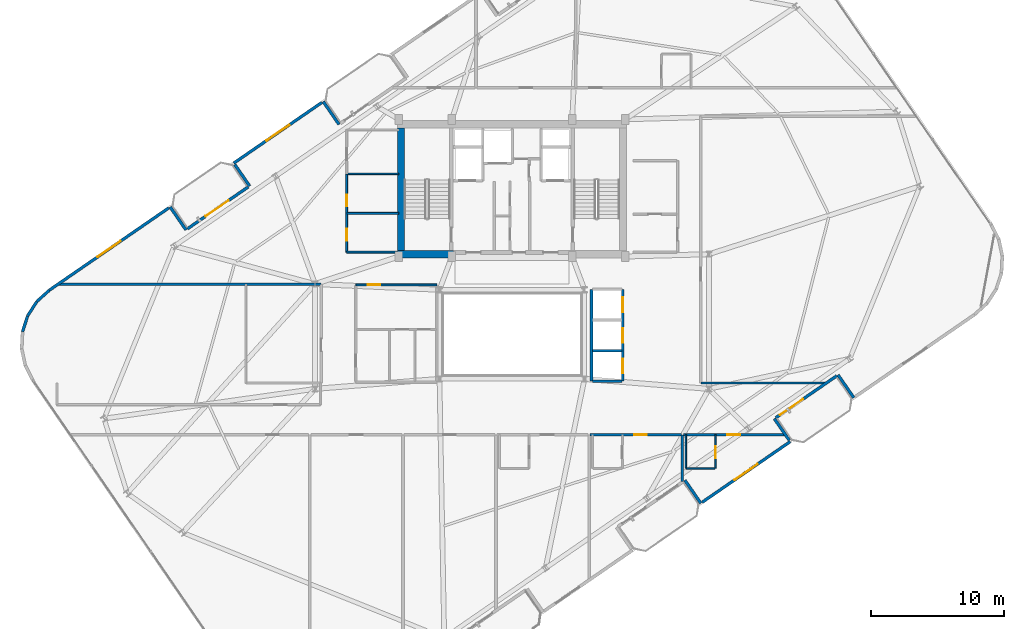
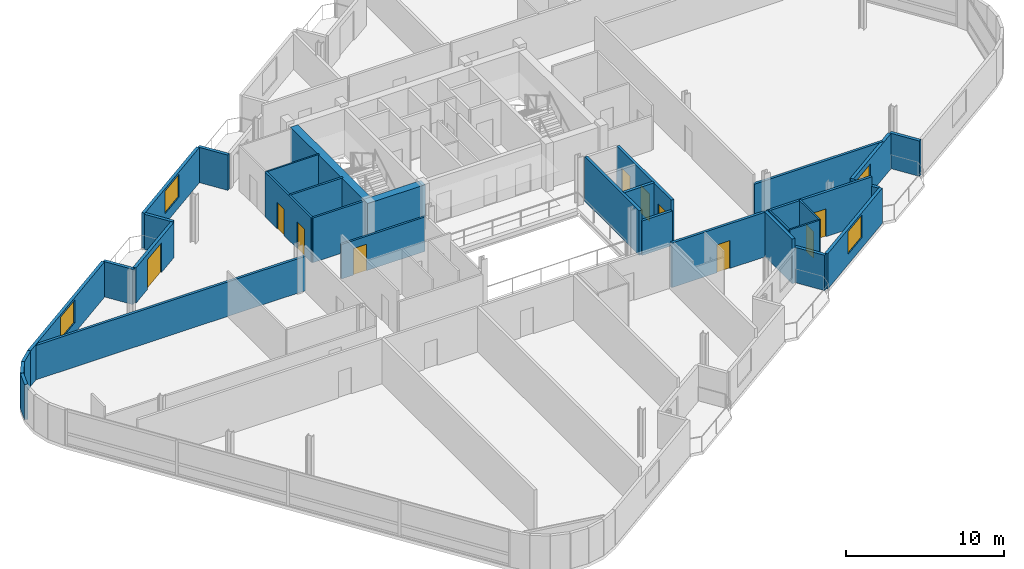
# One storey, part 17 of 23: 33 walls, 11 doors, 3 windows, 14 openings.
"""IFC4 building model written with IfcOpenShell, lengths in metres."""

from ifc_helpers import new_model, si_unit, direction, frame, frame_2d, origin, place, context, subcontext, project, spatial, rectangle, extrude, material, layer, layer_set, type_object, element, fill, save


model = new_model("IFC4")

# Units and contexts
model_context = context("Model", 3, precision=1e-05, world=origin(), true_north=direction((0.0, 1.0)))
body_context = subcontext(model_context, "Body", "Model", "MODEL_VIEW")
ifc_project = project(units=[si_unit("LENGTHUNIT", "METRE"), si_unit("AREAUNIT", "SQUARE_METRE"), si_unit("VOLUMEUNIT", "CUBIC_METRE"), si_unit("PLANEANGLEUNIT", "RADIAN"), si_unit("MASSUNIT", "GRAM", prefix="KILO")], contexts=[model_context])

# Site, building, storey
site_placement = place(None, origin())
site = spatial("IfcSite", under=ifc_project, at=site_placement, CompositionType="ELEMENT")
building_placement = place(site_placement, origin())
building = spatial("IfcBuilding", under=site, at=building_placement, Name="Varnelok Gate Tower", CompositionType="ELEMENT")
storey_placement = place(building_placement, frame((0.0, 0.0, 258.199951171875)))
storey = spatial("IfcBuildingStorey", under=building, at=storey_placement, Name="L66", CompositionType="ELEMENT", Elevation=258.199951171875)

# Wall, opening, door
ifc_material_1 = material(Name="Concrete C45/55", Category="concrete")
ifc_layer_1 = layer(ifc_material_1, 0.219970703125)
ifc_layer_set_1 = layer_set([ifc_layer_1], Name="Concrete C45/55")
wall_type_1 = type_object("IfcWallType", Name="EW-BALC-220", PredefinedType="SOLIDWALL", material=ifc_layer_set_1)
wall_1_placement = place(storey_placement, frame((63.60498046875, 19.780029296875, 0.0), z_axis=(0.0, 0.0, 1.0), x_axis=(-0.823541290762, -0.567256328665, 0.0)))
wall_1 = element("IfcWall", 1, at=wall_1_placement, inside=storey, type_object=wall_type_1, Name="L66 South Terrace Envelope Wall 3", PredefinedType="SOLIDWALL", context=body_context, shape_type="SweptSolid", body=[
    extrude(rectangle(XDim=5.567138671875, YDim=0.219970703125, at=frame_2d((2.78369140625, 0.0))), origin(), (0.0, 0.0, 1.0), 2.72998046875),
])
opening_1_placement = place(wall_1_placement, frame((3.067138671875, 0.0, 0.0)))
opening_1 = element("IfcOpeningElement", 2, at=opening_1_placement, cuts=wall_1, Name="Opening BD-2", PredefinedType="OPENING", context=body_context, shape_type="SweptSolid", body=[
    extrude(rectangle(XDim=2.10009765625, YDim=2.300048828125, at=frame_2d((1.050048828125, 1.14990234375))), frame((0.0, 0.119873046875, 0.0), z_axis=(0.0, -1.0, 0.0), x_axis=(1.0, 0.0, 0.0)), (0.0, 0.0, 1.0), 0.239990234375),
])
ifc_material_2 = material(Name="Anodized Aluminum Alloy 6063-T6", Category="aluminium")
door_type_1 = type_object("IfcDoorType", Name="DR-EXT-SLID2100", OperationType="SLIDING_TO_LEFT", PredefinedType="DOOR", material=ifc_material_2)
door_1_placement = place(opening_1_placement, origin())
door_1 = element("IfcDoor", 3, at=door_1_placement, inside=storey, type_object=door_type_1, Name="L66 South Balcony Glazed Door 3", OperationType="SLIDING_TO_LEFT", OverallHeight=2.300048828125, OverallWidth=2.10009765625, PredefinedType="DOOR", context=body_context, shape_type="SweptSolid", body=[
    extrude(rectangle(XDim=2.10009765625, YDim=2.300048828125, at=frame_2d((1.050048828125, 1.14990234375))), frame((0.0, 0.02490234375, 0.0), z_axis=(0.0, -1.0, 0.0), x_axis=(1.0, 0.0, 0.0)), (0.0, 0.0, 1.0), 0.050048828125),
])
fill(opening_1, door_1)

wall_2_placement = place(storey_placement, frame((14.794921875, 30.81982421875, 0.0), z_axis=(0.0, 0.0, 1.0), x_axis=(0.823541290762, 0.567256328665, 0.0)))
wall_2 = element("IfcWall", 4, at=wall_2_placement, inside=storey, type_object=wall_type_1, Name="L66 North Terrace Envelope Wall 4", PredefinedType="SOLIDWALL", context=body_context, shape_type="SweptSolid", body=[
    extrude(rectangle(XDim=5.567138671875, YDim=0.219970703125, at=frame_2d((2.78369140625, 0.0))), origin(), (0.0, 0.0, 1.0), 2.72998046875),
])
opening_2_placement = place(wall_2_placement, frame((1.68017578125, 0.0, 0.0)))
opening_2 = element("IfcOpeningElement", 5, at=opening_2_placement, cuts=wall_2, Name="Opening BD-2", PredefinedType="OPENING", context=body_context, shape_type="SweptSolid", body=[
    extrude(rectangle(XDim=2.10009765625, YDim=2.300048828125, at=frame_2d((1.050048828125, 1.14990234375))), frame((0.0, 0.119873046875, 0.0), z_axis=(0.0, -1.0, 0.0), x_axis=(1.0, 0.0, 0.0)), (0.0, 0.0, 1.0), 0.239990234375),
])
door_2_placement = place(opening_2_placement, origin())
door_2 = element("IfcDoor", 6, at=door_2_placement, inside=storey, type_object=door_type_1, Name="L66 North Balcony Glazed Door 4", OperationType="SLIDING_TO_LEFT", OverallHeight=2.300048828125, OverallWidth=2.10009765625, PredefinedType="DOOR", context=body_context, shape_type="SweptSolid", body=[
    extrude(rectangle(XDim=2.10009765625, YDim=2.300048828125, at=frame_2d((1.050048828125, 1.14990234375))), frame((0.0, 0.02490234375, 0.0), z_axis=(0.0, -1.0, 0.0), x_axis=(1.0, 0.0, 0.0)), (0.0, 0.0, 1.0), 0.050048828125),
])
fill(opening_2, door_2)

# Wall
wall_3_placement = place(storey_placement, frame((52.19580078125, 11.933349609375, 0.0), z_axis=(0.0, 0.0, 1.0), x_axis=(0.56729822855, -0.823512428494, 0.0)))
element("IfcWall", 7, at=wall_3_placement, inside=storey, type_object=wall_type_1, Name="L66 Perimeter Facade Closure Wall 12", PredefinedType="SOLIDWALL", context=body_context, shape_type="SweptSolid", body=[
    extrude(rectangle(XDim=2.10009765625, YDim=0.219970703125, at=frame_2d((1.050048828125, 0.0))), origin(), (0.0, 0.0, 1.0), 2.72998046875),
])

# Wall, opening, window
wall_4_placement = place(storey_placement, frame((53.489990234375, 10.27490234375, 0.0), z_axis=(0.0, 0.0, 1.0), x_axis=(0.823530942962, 0.56727135128, 0.0)))
wall_4 = element("IfcWall", 8, at=wall_4_placement, inside=storey, type_object=wall_type_1, Name="L66 Perimeter Facade Closure Wall 13", PredefinedType="SOLIDWALL", context=body_context, shape_type="SweptSolid", body=[
    extrude(rectangle(XDim=8.03515625, YDim=0.219970703125, at=frame_2d((4.017578125, 0.0))), origin(), (0.0, 0.0, 1.0), 2.72998046875),
])
opening_3_placement = place(wall_4_placement, frame((2.967529296875, 0.0, 0.800048828125)))
opening_3 = element("IfcOpeningElement", 9, at=opening_3_placement, cuts=wall_4, Name="Opening WN4", PredefinedType="OPENING", context=body_context, shape_type="SweptSolid", body=[
    extrude(rectangle(XDim=2.10009765625, YDim=1.75, at=frame_2d((1.050048828125, 0.875))), frame((0.0, 0.119873046875, 0.0), z_axis=(0.0, -1.0, 0.0), x_axis=(1.0, 0.0, 0.0)), (0.0, 0.0, 1.0), 0.239990234375),
])
ifc_material_3 = material(Name="Low-E Laminated Double Glazing IGU", Category="glass")
window_type = type_object("IfcWindowType", Name="WN-SUI-2100", PartitioningType="SINGLE_PANEL", PredefinedType="WINDOW", material=ifc_material_3)
window_1_placement = place(opening_3_placement, origin())
window_1 = element("IfcWindow", 10, at=window_1_placement, inside=storey, type_object=window_type, Name="L66 Perimeter Vision Window 13", OverallHeight=1.75, OverallWidth=2.10009765625, PartitioningType="SINGLE_PANEL", PredefinedType="WINDOW", context=body_context, shape_type="SweptSolid", body=[
    extrude(rectangle(XDim=2.10009765625, YDim=1.75, at=frame_2d((1.050048828125, 0.875))), frame((0.0, 0.030029296875, 0.0), z_axis=(0.0, -1.0, 0.0), x_axis=(1.0, 0.0, 0.0)), (0.0, 0.0, 1.0), 0.06005859375),
])
fill(opening_3, window_1)

# Walls
wall_5_placement = place(storey_placement, frame((60.0361328125, 14.935791015625, 0.0), z_axis=(0.0, 0.0, 1.0), x_axis=(-0.567273565974, 0.823529417415, 0.0)))
element("IfcWall", 11, at=wall_5_placement, inside=storey, type_object=wall_type_1, Name="L66 Perimeter Facade Closure Wall 14", PredefinedType="SOLIDWALL", context=body_context, shape_type="SweptSolid", body=[
    extrude(rectangle(XDim=1.97509765625, YDim=0.219970703125, at=frame_2d((0.987548828125, 0.0))), origin(), (0.0, 0.0, 1.0), 2.72998046875),
])
for number, where, z_axis, x_axis, name in (
    (12, (63.6982421875, 19.8564453125, 0.0), (0.0, 0.0, 1.0), (0.567219383419, -0.823566737474, 0.0), "L66 Perimeter Facade Closure Wall 15"),
    (13, (26.2041015625, 38.66650390625, 0.0), (0.0, 0.0, 1.0), (-0.567219383419, 0.823566737474, 0.0), "L66 Perimeter Facade Closure Wall 34"),
):
    element("IfcWall", number, at=place(storey_placement, frame(where, z_axis=z_axis, x_axis=x_axis)), inside=storey, type_object=wall_type_1, Name=name, PredefinedType="SOLIDWALL", context=body_context, shape_type="SweptSolid", body=[
        extrude(rectangle(XDim=2.10009765625, YDim=0.219970703125, at=frame_2d((1.050048828125, 0.0))), origin(), (0.0, 0.0, 1.0), 2.72998046875),
    ])

# Wall, opening, window
wall_6_placement = place(storey_placement, frame((24.909912109375, 40.3251953125, 0.0), z_axis=(0.0, 0.0, 1.0), x_axis=(-0.823521165086, -0.56728554596, 0.0)))
wall_6 = element("IfcWall", 14, at=wall_6_placement, inside=storey, type_object=wall_type_1, Name="L66 Perimeter Facade Closure Wall 35", PredefinedType="SOLIDWALL", context=body_context, shape_type="SweptSolid", body=[
    extrude(rectangle(XDim=8.034912109375, YDim=0.219970703125, at=frame_2d((4.017578125, 0.0))), origin(), (0.0, 0.0, 1.0), 2.72998046875),
])
opening_4_placement = place(wall_6_placement, frame((2.967529296875, 0.0, 0.800048828125)))
opening_4 = element("IfcOpeningElement", 15, at=opening_4_placement, cuts=wall_6, Name="Opening WN4", PredefinedType="OPENING", context=body_context, shape_type="SweptSolid", body=[
    extrude(rectangle(XDim=2.10009765625, YDim=1.75, at=frame_2d((1.050048828125, 0.875))), frame((0.0, 0.119873046875, 0.0), z_axis=(0.0, -1.0, 0.0), x_axis=(1.0, 0.0, 0.0)), (0.0, 0.0, 1.0), 0.239990234375),
])
window_2_placement = place(opening_4_placement, origin())
window_2 = element("IfcWindow", 16, at=window_2_placement, inside=storey, type_object=window_type, Name="L66 Perimeter Vision Window 35", OverallHeight=1.75, OverallWidth=2.10009765625, PartitioningType="SINGLE_PANEL", PredefinedType="WINDOW", context=body_context, shape_type="SweptSolid", body=[
    extrude(rectangle(XDim=2.10009765625, YDim=1.75, at=frame_2d((1.050048828125, 0.875))), frame((0.0, 0.030029296875, 0.0), z_axis=(0.0, -1.0, 0.0), x_axis=(1.0, 0.0, 0.0)), (0.0, 0.0, 1.0), 0.06005859375),
])
fill(opening_4, window_2)

# Walls
wall_7_placement = place(storey_placement, frame((18.36376953125, 35.664306640625, 0.0), z_axis=(0.0, 0.0, 1.0), x_axis=(0.567215821234, -0.823569190865, 0.0)))
element("IfcWall", 17, at=wall_7_placement, inside=storey, type_object=wall_type_1, Name="L66 Perimeter Facade Closure Wall 36", PredefinedType="SOLIDWALL", context=body_context, shape_type="SweptSolid", body=[
    extrude(rectangle(XDim=1.97509765625, YDim=0.219970703125, at=frame_2d((0.987548828125, 0.0))), origin(), (0.0, 0.0, 1.0), 2.72998046875),
])
wall_8_placement = place(storey_placement, frame((14.701904296875, 30.74365234375, 0.0), z_axis=(0.0, 0.0, 1.0), x_axis=(-0.567352541689, 0.823475010816, 0.0)))
element("IfcWall", 18, at=wall_8_placement, inside=storey, type_object=wall_type_1, Name="L66 Perimeter Facade Closure Wall 37", PredefinedType="SOLIDWALL", context=body_context, shape_type="SweptSolid", body=[
    extrude(rectangle(XDim=2.099853515625, YDim=0.219970703125, at=frame_2d((1.0498046875, 0.0))), origin(), (0.0, 0.0, 1.0), 2.72998046875),
])

# Wall, opening, window
wall_9_placement = place(storey_placement, frame((13.40771484375, 32.402099609375, 0.0), z_axis=(0.0, 0.0, 1.0), x_axis=(-0.823527634633, -0.567276154087, 0.0)))
wall_9 = element("IfcWall", 19, at=wall_9_placement, inside=storey, type_object=wall_type_1, Name="L66 Perimeter Facade Closure Wall 38", PredefinedType="SOLIDWALL", context=body_context, shape_type="SweptSolid", body=[
    extrude(rectangle(XDim=10.88037109375, YDim=0.219970703125, at=frame_2d((5.440185546875, 0.0))), origin(), (0.0, 0.0, 1.0), 2.72998046875),
])
opening_5_placement = place(wall_9_placement, frame((4.39013671875, 0.0, 0.800048828125)))
opening_5 = element("IfcOpeningElement", 20, at=opening_5_placement, cuts=wall_9, Name="Opening WN4", PredefinedType="OPENING", context=body_context, shape_type="SweptSolid", body=[
    extrude(rectangle(XDim=2.10009765625, YDim=1.75, at=frame_2d((1.050048828125, 0.875))), frame((0.0, 0.119873046875, 0.0), z_axis=(0.0, -1.0, 0.0), x_axis=(1.0, 0.0, 0.0)), (0.0, 0.0, 1.0), 0.239990234375),
])
window_3_placement = place(opening_5_placement, origin())
window_3 = element("IfcWindow", 21, at=window_3_placement, inside=storey, type_object=window_type, Name="L66 Perimeter Vision Window 38", OverallHeight=1.75, OverallWidth=2.10009765625, PartitioningType="SINGLE_PANEL", PredefinedType="WINDOW", context=body_context, shape_type="SweptSolid", body=[
    extrude(rectangle(XDim=2.10009765625, YDim=1.75, at=frame_2d((1.050048828125, 0.875))), frame((0.0, 0.030029296875, 0.0), z_axis=(0.0, -1.0, 0.0), x_axis=(1.0, 0.0, 0.0)), (0.0, 0.0, 1.0), 0.06005859375),
])
fill(opening_5, window_3)

# Walls
wall_10_placement = place(storey_placement, frame((4.428955078125, 26.21337890625, 0.0), z_axis=(0.0, 0.0, 1.0), x_axis=(-0.742414330744, -0.669941013453, 0.0)))
element("IfcWall", 22, at=wall_10_placement, inside=storey, type_object=wall_type_1, Name="L66 Perimeter Facade Closure Wall 39", PredefinedType="SOLIDWALL", context=body_context, shape_type="SweptSolid", body=[
    extrude(rectangle(XDim=1.256591796875, YDim=0.219970703125, at=frame_2d((0.62841796875, 0.0))), origin(), (0.0, 0.0, 1.0), 2.72998046875),
])
for number, where, z_axis, x_axis, name in (
    (23, (3.482421875, 25.3505859375, 0.0), (0.0, 0.0, 1.0), (-0.543778157277, -0.839229000731, 0.0), "L66 Perimeter Facade Closure Wall 40"),
    (24, (2.7958984375, 24.27880859375, 0.0), (0.0, 0.0, 1.0), (-0.30817950344, -0.951328226039, 0.0), "L66 Perimeter Facade Closure Wall 41"),
):
    element("IfcWall", number, at=place(storey_placement, frame(where, z_axis=z_axis, x_axis=x_axis)), inside=storey, type_object=wall_type_1, Name=name, PredefinedType="SOLIDWALL", context=body_context, shape_type="SweptSolid", body=[
        extrude(rectangle(XDim=1.24853515625, YDim=0.219970703125, at=frame_2d((0.624267578125, 0.0))), origin(), (0.0, 0.0, 1.0), 2.72998046875),
    ])

# Wall, opening, door
ifc_material_4 = material(Name="Gypsum Plasterboard Acoustic Partition", Category="gypsum")
ifc_layer_2 = layer(ifc_material_4, 0.179931640625)
ifc_layer_set_2 = layer_set([ifc_layer_2], Name="Gypsum Plasterboard Acoustic Partition")
wall_type_2 = type_object("IfcWallType", Name="PW-CORR-180", PredefinedType="PARTITIONING", material=ifc_layer_set_2)
wall_11_placement = place(storey_placement, frame((45.080078125, 15.35009765625, 0.0), z_axis=(0.0, 0.0, 1.0), x_axis=(1.0, 0.0, 0.0)))
wall_11 = element("IfcWall", 25, at=wall_11_placement, inside=storey, type_object=wall_type_2, Name="Interior Partition", PredefinedType="PARTITIONING", context=body_context, shape_type="SweptSolid", body=[
    extrude(rectangle(XDim=6.83984375, YDim=0.179931640625, at=frame_2d((3.419921875, 0.0))), origin(), (0.0, 0.0, 1.0), 3.449951171875),
])
opening_6_placement = place(wall_11_placement, frame((3.2900390625, 0.0, 0.0)))
opening_6 = element("IfcOpeningElement", 26, at=opening_6_placement, cuts=wall_11, Name="Opening D-HT", PredefinedType="OPENING", context=body_context, shape_type="SweptSolid", body=[
    extrude(rectangle(XDim=0.949951171875, YDim=2.14990234375, at=frame_2d((0.47509765625, 1.074951171875))), frame((0.0, 0.099853515625, 0.0), z_axis=(0.0, -1.0, 0.0), x_axis=(1.0, 0.0, 0.0)), (0.0, 0.0, 1.0), 0.199951171875),
])
ifc_material_5 = material(Name="Engineered Hardwood Timber", Category="wood")
door_type_2 = type_object("IfcDoorType", Name="DR-HTL-950", OperationType="NOTDEFINED", PredefinedType="DOOR", material=ifc_material_5)
door_3_placement = place(opening_6_placement, origin())
door_3 = element("IfcDoor", 27, at=door_3_placement, inside=storey, type_object=door_type_2, Name="L66 Guest Room 05 Entrance Door", OperationType="SINGLE_SWING_RIGHT", OverallHeight=2.14990234375, OverallWidth=0.949951171875, PredefinedType="DOOR", context=body_context, shape_type="SweptSolid", body=[
    extrude(rectangle(XDim=0.949951171875, YDim=2.14990234375, at=frame_2d((0.47509765625, 1.074951171875))), frame((0.0, 0.02490234375, 0.0), z_axis=(0.0, -1.0, 0.0), x_axis=(1.0, 0.0, 0.0)), (0.0, 0.0, 1.0), 0.050048828125),
])
fill(opening_6, door_3)

wall_12_placement = place(storey_placement, frame((52.080078125, 15.35009765625, 0.0), z_axis=(0.0, 0.0, 1.0), x_axis=(1.0, 0.0, 0.0)))
wall_12 = element("IfcWall", 28, at=wall_12_placement, inside=storey, type_object=wall_type_2, Name="Interior Partition", PredefinedType="PARTITIONING", context=body_context, shape_type="SweptSolid", body=[
    extrude(rectangle(XDim=7.646484375, YDim=0.179931640625, at=frame_2d((3.8232421875, 0.0))), origin(), (0.0, 0.0, 1.0), 3.449951171875),
])
opening_7_placement = place(wall_12_placement, frame((3.31103515625, 0.0, 0.0)))
opening_7 = element("IfcOpeningElement", 29, at=opening_7_placement, cuts=wall_12, Name="Opening D-HT", PredefinedType="OPENING", context=body_context, shape_type="SweptSolid", body=[
    extrude(rectangle(XDim=0.949951171875, YDim=2.14990234375, at=frame_2d((0.47509765625, 1.074951171875))), frame((0.0, 0.099853515625, 0.0), z_axis=(0.0, -1.0, 0.0), x_axis=(1.0, 0.0, 0.0)), (0.0, 0.0, 1.0), 0.199951171875),
])
door_4_placement = place(opening_7_placement, origin())
door_4 = element("IfcDoor", 30, at=door_4_placement, inside=storey, type_object=door_type_2, Name="L66 Guest Room 06 Entrance Door", OperationType="SINGLE_SWING_LEFT", OverallHeight=2.14990234375, OverallWidth=0.949951171875, PredefinedType="DOOR", context=body_context, shape_type="SweptSolid", body=[
    extrude(rectangle(XDim=0.949951171875, YDim=2.14990234375, at=frame_2d((0.47509765625, 1.074951171875))), frame((0.0, 0.02490234375, 0.0), z_axis=(0.0, -1.0, 0.0), x_axis=(1.0, 0.0, 0.0)), (0.0, 0.0, 1.0), 0.050048828125),
])
fill(opening_7, door_4)

# Walls
wall_13_placement = place(storey_placement, frame((5.10693359375, 26.659912109375, 0.0), z_axis=(0.0, 0.0, 1.0), x_axis=(1.0, 0.0, 0.0)))
element("IfcWall", 31, at=wall_13_placement, inside=storey, type_object=wall_type_2, Name="Interior Partition", PredefinedType="PARTITIONING", context=body_context, shape_type="SweptSolid", body=[
    extrude(rectangle(XDim=19.7431640625, YDim=0.179931640625, at=frame_2d((9.87158203125, 0.0))), origin(), (0.0, 0.0, 1.0), 2.662109375),
])
wall_14_placement = place(storey_placement, frame((53.389892578125, 19.239990234375, 0.0), z_axis=(0.0, 0.0, 1.0), x_axis=(1.0, 0.0, 0.0)))
element("IfcWall", 32, at=wall_14_placement, inside=storey, type_object=wall_type_2, Name="Interior Partition", PredefinedType="PARTITIONING", context=body_context, shape_type="SweptSolid", body=[
    extrude(rectangle(XDim=9.378173828125, YDim=0.179931640625, at=frame_2d((4.68896484375, 0.0))), origin(), (0.0, 0.0, 1.0), 2.739013671875),
])
ifc_layer_3 = layer(ifc_material_4, 0.114990234375)
ifc_layer_set_3 = layer_set([ifc_layer_3], Name="Gypsum Plasterboard Acoustic Partition")
wall_type_3 = type_object("IfcWallType", Name="PW-ENS-125", PredefinedType="PARTITIONING", material=ifc_layer_set_3)
wall_15_placement = place(storey_placement, frame((52.300048828125, 12.830078125, 0.0), z_axis=(0.0, 0.0, 1.0), x_axis=(1.0, 0.0, 0.0)))
element("IfcWall", 33, at=wall_15_placement, inside=storey, type_object=wall_type_3, Name="Interior Partition", PredefinedType="PARTITIONING", context=body_context, shape_type="SweptSolid", body=[
    extrude(rectangle(XDim=2.14990234375, YDim=0.114990234375, at=frame_2d((1.074951171875, 0.0))), origin(), (0.0, 0.0, 1.0), 3.449951171875),
])

# Wall, opening, door
wall_16_placement = place(storey_placement, frame((54.489990234375, 12.830078125, 0.0), z_axis=(0.0, 0.0, 1.0), x_axis=(0.0, 1.0, 0.0)))
wall_16 = element("IfcWall", 34, at=wall_16_placement, inside=storey, type_object=wall_type_3, Name="Interior Partition", PredefinedType="PARTITIONING", context=body_context, shape_type="SweptSolid", body=[
    extrude(rectangle(XDim=2.52001953125, YDim=0.114990234375, at=frame_2d((1.260009765625, 0.0))), origin(), (0.0, 0.0, 1.0), 3.449951171875),
])
opening_8_placement = place(wall_16_placement, frame((0.760009765625, 0.0, 0.0)))
opening_8 = element("IfcOpeningElement", 35, at=opening_8_placement, cuts=wall_16, Name="Opening D-WC", PredefinedType="OPENING", context=body_context, shape_type="SweptSolid", body=[
    extrude(rectangle(XDim=0.89990234375, YDim=2.050048828125, at=frame_2d((0.449951171875, 1.02490234375))), frame((0.0, 0.0673828125, 0.0), z_axis=(0.0, -1.0, 0.0), x_axis=(1.0, 0.0, 0.0)), (0.0, 0.0, 1.0), 0.135009765625),
])
door_type_3 = type_object("IfcDoorType", Name="DR-BATH-900", OperationType="NOTDEFINED", PredefinedType="DOOR", material=ifc_material_5)
door_5_placement = place(opening_8_placement, origin())
door_5 = element("IfcDoor", 36, at=door_5_placement, inside=storey, type_object=door_type_3, Name="L66 Guest En-Suite 06 Door", OperationType="SINGLE_SWING_LEFT", OverallHeight=2.050048828125, OverallWidth=0.89990234375, PredefinedType="DOOR", context=body_context, shape_type="SweptSolid", body=[
    extrude(rectangle(XDim=0.89990234375, YDim=2.050048828125, at=frame_2d((0.449951171875, 1.02490234375))), frame((0.0, 0.02490234375, 0.0), z_axis=(0.0, -1.0, 0.0), x_axis=(1.0, 0.0, 0.0)), (0.0, 0.0, 1.0), 0.050048828125),
])
fill(opening_8, door_5)

# Walls
wall_17_placement = place(storey_placement, frame((52.260009765625, 12.830078125, 0.0), z_axis=(0.0, 0.0, 1.0), x_axis=(0.0, 1.0, 0.0)))
element("IfcWall", 37, at=wall_17_placement, inside=storey, type_object=wall_type_3, Name="Interior Partition", PredefinedType="PARTITIONING", context=body_context, shape_type="SweptSolid", body=[
    extrude(rectangle(XDim=2.52001953125, YDim=0.114990234375, at=frame_2d((1.260009765625, 0.0))), origin(), (0.0, 0.0, 1.0), 3.449951171875),
])
wall_18_placement = place(storey_placement, frame((26.800048828125, 34.949951171875, 0.0), z_axis=(0.0, 0.0, 1.0), x_axis=(1.0, 0.0, 0.0)))
element("IfcWall", 38, at=wall_18_placement, inside=storey, type_object=wall_type_3, Name="Interior Partition", PredefinedType="PARTITIONING", context=body_context, shape_type="SweptSolid", body=[
    extrude(rectangle(XDim=3.8798828125, YDim=0.114990234375, at=frame_2d((1.93994140625, 0.0))), origin(), (0.0, 0.0, 1.0), 3.449951171875),
])

# Wall, opening, door
ifc_layer_4 = layer(ifc_material_4, 0.14990234375)
ifc_layer_set_4 = layer_set([ifc_layer_4], Name="Gypsum Plasterboard Acoustic Partition")
wall_type_4 = type_object("IfcWallType", Name="PW-PART-150", PredefinedType="PARTITIONING", material=ifc_layer_set_4)
wall_19_placement = place(storey_placement, frame((27.4599609375, 26.6201171875, 0.0), z_axis=(0.0, 0.0, 1.0), x_axis=(1.0, 0.0, 0.0)))
wall_19 = element("IfcWall", 39, at=wall_19_placement, inside=storey, type_object=wall_type_4, Name="Interior Partition", PredefinedType="PARTITIONING", context=body_context, shape_type="SweptSolid", body=[
    extrude(rectangle(XDim=6.10009765625, YDim=0.14990234375, at=frame_2d((3.050048828125, 0.0))), origin(), (0.0, 0.0, 1.0), 2.662109375),
])
opening_9_placement = place(wall_19_placement, frame((0.8896484375, 0.0, 0.0)))
opening_9 = element("IfcOpeningElement", 40, at=opening_9_placement, cuts=wall_19, Name="Opening D-I2", PredefinedType="OPENING", context=body_context, shape_type="SweptSolid", body=[
    extrude(rectangle(XDim=0.949951171875, YDim=2.050048828125, at=frame_2d((0.47509765625, 1.02490234375))), frame((0.0, 0.0849609375, 0.0), z_axis=(0.0, -1.0, 0.0), x_axis=(1.0, 0.0, 0.0)), (0.0, 0.0, 1.0), 0.169921875),
])
door_type_4 = type_object("IfcDoorType", Name="DR-INT-950", OperationType="NOTDEFINED", PredefinedType="DOOR", material=ifc_material_5)
door_6_placement = place(opening_9_placement, origin())
door_6 = element("IfcDoor", 41, at=door_6_placement, inside=storey, type_object=door_type_4, Name="L66 Sommelier Tasting Cellar Door", OperationType="SINGLE_SWING_LEFT", OverallHeight=2.050048828125, OverallWidth=0.949951171875, PredefinedType="DOOR", context=body_context, shape_type="SweptSolid", body=[
    extrude(rectangle(XDim=0.949951171875, YDim=2.050048828125, at=frame_2d((0.47509765625, 1.02490234375))), frame((0.0, 0.02490234375, 0.0), z_axis=(0.0, -1.0, 0.0), x_axis=(1.0, 0.0, 0.0)), (0.0, 0.0, 1.0), 0.050048828125),
])
fill(opening_9, door_6)

# Walls
wall_20_placement = place(storey_placement, frame((26.780029296875, 29.080078125, 0.0), z_axis=(0.0, 0.0, 1.0), x_axis=(1.0, 0.0, 0.0)))
element("IfcWall", 42, at=wall_20_placement, inside=storey, type_object=wall_type_4, Name="Interior Partition", PredefinedType="PARTITIONING", context=body_context, shape_type="SweptSolid", body=[
    extrude(rectangle(XDim=3.800048828125, YDim=0.14990234375, at=frame_2d((1.89990234375, 0.0))), origin(), (0.0, 0.0, 1.0), 3.449951171875),
])
wall_21_placement = place(storey_placement, frame((26.800048828125, 31.989990234375, 0.0), z_axis=(0.0, 0.0, 1.0), x_axis=(1.0, 0.0, 0.0)))
element("IfcWall", 43, at=wall_21_placement, inside=storey, type_object=wall_type_4, Name="Interior Partition", PredefinedType="PARTITIONING", context=body_context, shape_type="SweptSolid", body=[
    extrude(rectangle(XDim=3.8798828125, YDim=0.14990234375, at=frame_2d((1.93994140625, 0.0))), origin(), (0.0, 0.0, 1.0), 3.449951171875),
])

# Wall, openings, doors
wall_22_placement = place(storey_placement, frame((26.780029296875, 29.080078125, 0.0), z_axis=(0.0, 0.0, 1.0), x_axis=(0.0, 1.0, 0.0)))
wall_22 = element("IfcWall", 44, at=wall_22_placement, inside=storey, type_object=wall_type_4, Name="Interior Partition", PredefinedType="PARTITIONING", context=body_context, shape_type="SweptSolid", body=[
    extrude(rectangle(XDim=5.869873046875, YDim=0.14990234375, at=frame_2d((2.93505859375, 0.0))), origin(), (0.0, 0.0, 1.0), 3.449951171875),
])
opening_10_placement = place(wall_22_placement, frame((0.85009765625, 0.0, 0.0)))
opening_10 = element("IfcOpeningElement", 45, at=opening_10_placement, cuts=wall_22, Name="Opening D-I3", PredefinedType="OPENING", context=body_context, shape_type="SweptSolid", body=[
    extrude(rectangle(XDim=0.919921875, YDim=2.050048828125, at=frame_2d((0.4599609375, 1.02490234375))), frame((0.0, 0.0849609375, 0.0), z_axis=(0.0, -1.0, 0.0), x_axis=(1.0, 0.0, 0.0)), (0.0, 0.0, 1.0), 0.169921875),
])
opening_11_placement = place(wall_22_placement, frame((3.449951171875, 0.0, 0.0)))
opening_11 = element("IfcOpeningElement", 46, at=opening_11_placement, cuts=wall_22, Name="Opening D-RS", PredefinedType="OPENING", context=body_context, shape_type="SweptSolid", body=[
    extrude(rectangle(XDim=0.85009765625, YDim=2.050048828125, at=frame_2d((0.425048828125, 1.02490234375))), frame((0.0, 0.0849609375, 0.0), z_axis=(0.0, -1.0, 0.0), x_axis=(1.0, 0.0, 0.0)), (0.0, 0.0, 1.0), 0.169921875),
])
door_type_5 = type_object("IfcDoorType", Name="DR-INT-920", OperationType="NOTDEFINED", PredefinedType="DOOR", material=ifc_material_5)
door_7_placement = place(opening_10_placement, origin())
door_7 = element("IfcDoor", 47, at=door_7_placement, inside=storey, type_object=door_type_5, Name="L66 Core Linen Door", OperationType="SINGLE_SWING_LEFT", OverallHeight=2.050048828125, OverallWidth=0.919921875, PredefinedType="DOOR", context=body_context, shape_type="SweptSolid", body=[
    extrude(rectangle(XDim=0.919921875, YDim=2.050048828125, at=frame_2d((0.4599609375, 1.02490234375))), frame((0.0, 0.02490234375, 0.0), z_axis=(0.0, -1.0, 0.0), x_axis=(1.0, 0.0, 0.0)), (0.0, 0.0, 1.0), 0.050048828125),
])
fill(opening_10, door_7)
ifc_material_6 = material(Name="Galvanized Steel Grade S350GD", Category="steel")
door_type_6 = type_object("IfcDoorType", Name="DR-RISER-850", OperationType="NOTDEFINED", PredefinedType="DOOR", material=ifc_material_6)
door_8_placement = place(opening_11_placement, origin())
door_8 = element("IfcDoor", 48, at=door_8_placement, inside=storey, type_object=door_type_6, Name="L66 Core Janitor Door", OperationType="SINGLE_SWING_RIGHT", OverallHeight=2.050048828125, OverallWidth=0.85009765625, PredefinedType="DOOR", context=body_context, shape_type="SweptSolid", body=[
    extrude(rectangle(XDim=0.85009765625, YDim=2.050048828125, at=frame_2d((0.425048828125, 1.02490234375))), frame((0.0, 0.02490234375, 0.0), z_axis=(0.0, -1.0, 0.0), x_axis=(1.0, 0.0, 0.0)), (0.0, 0.0, 1.0), 0.050048828125),
])
fill(opening_11, door_8)

# Walls
ifc_layer_5 = layer(ifc_material_4, 0.205078125)
ifc_layer_set_5 = layer_set([ifc_layer_5], Name="Gypsum Plasterboard Acoustic Partition")
wall_type_5 = type_object("IfcWallType", Name="PW-PARTY-200", PredefinedType="PARTITIONING", material=ifc_layer_set_5)
wall_23_placement = place(storey_placement, frame((52.0, 11.82275390625, 0.0), z_axis=(0.0, 0.0, 1.0), x_axis=(0.0, 1.0, 0.0)))
element("IfcWall", 49, at=wall_23_placement, inside=storey, type_object=wall_type_5, Name="L66 South Party Wall 5", PredefinedType="PARTITIONING", context=body_context, shape_type="SweptSolid", body=[
    extrude(rectangle(XDim=3.52734375, YDim=0.205078125, at=frame_2d((1.763671875, 0.0))), origin(), (0.0, 0.0, 1.0), 3.449951171875),
])
ifc_material_7 = material(Name="Concrete C35/45", Category="concrete")
ifc_layer_6 = layer(ifc_material_7, 0.199951171875)
ifc_layer_set_6 = layer_set([ifc_layer_6], Name="Concrete C35/45")
wall_type_6 = type_object("IfcWallType", Name="PW-SHAFT-200", PredefinedType="PARTITIONING", material=ifc_layer_set_6)
wall_24_placement = place(storey_placement, frame((45.239990234375, 21.675048828125, 0.0), z_axis=(0.0, 0.0, 1.0), x_axis=(1.0, 0.0, 0.0)))
element("IfcWall", 50, at=wall_24_placement, inside=storey, type_object=wall_type_6, Name="L66 PH1 Divider", PredefinedType="PARTITIONING", context=body_context, shape_type="SweptSolid", body=[
    extrude(rectangle(XDim=2.219970703125, YDim=0.199951171875, at=frame_2d((1.10986328125, 0.0))), origin(), (0.0, 0.0, 1.0), 3.449951171875),
])
wall_25_placement = place(storey_placement, frame((45.239990234375, 19.3798828125, 0.0), z_axis=(0.0, 0.0, 1.0), x_axis=(1.0, 0.0, 0.0)))
element("IfcWall", 51, at=wall_25_placement, inside=storey, type_object=wall_type_6, Name="L66 PH Bank South Wall", PredefinedType="PARTITIONING", context=body_context, shape_type="SweptSolid", body=[
    extrude(rectangle(XDim=2.219970703125, YDim=0.199951171875, at=frame_2d((1.10986328125, 0.0))), origin(), (0.0, 0.0, 1.0), 2.662109375),
])
wall_26_placement = place(storey_placement, frame((45.179931640625, 19.3798828125, 0.0), z_axis=(0.0, 0.0, 1.0), x_axis=(0.0, 1.0, 0.0)))
element("IfcWall", 52, at=wall_26_placement, inside=storey, type_object=wall_type_6, Name="L66 PH Bank Atrium Wall", PredefinedType="PARTITIONING", context=body_context, shape_type="SweptSolid", body=[
    extrude(rectangle(XDim=6.900146484375, YDim=0.199951171875, at=frame_2d((3.4501953125, 0.0))), origin(), (0.0, 0.0, 1.0), 3.449951171875),
])

# Wall, openings, doors
wall_27_placement = place(storey_placement, frame((47.52001953125, 19.3798828125, 0.0), z_axis=(0.0, 0.0, 1.0), x_axis=(0.0, 1.0, 0.0)))
wall_27 = element("IfcWall", 53, at=wall_27_placement, inside=storey, type_object=wall_type_6, Name="L66 PH Bank Front Wall", PredefinedType="PARTITIONING", context=body_context, shape_type="SweptSolid", body=[
    extrude(rectangle(XDim=6.900146484375, YDim=0.199951171875, at=frame_2d((3.4501953125, 0.0))), origin(), (0.0, 0.0, 1.0), 3.449951171875),
])
opening_12_placement = place(wall_27_placement, frame((0.590087890625, 0.0, 0.0)))
opening_12 = element("IfcOpeningElement", 54, at=opening_12_placement, cuts=wall_27, Name="Opening LD-PH1", PredefinedType="OPENING", context=body_context, shape_type="SweptSolid", body=[
    extrude(rectangle(XDim=1.10009765625, YDim=2.14990234375, at=frame_2d((0.550048828125, 1.074951171875))), frame((0.0, 0.10986328125, 0.0), z_axis=(0.0, -1.0, 0.0), x_axis=(1.0, 0.0, 0.0)), (0.0, 0.0, 1.0), 0.219970703125),
])
opening_13_placement = place(wall_27_placement, frame((2.889892578125, 0.0, 0.0)))
opening_13 = element("IfcOpeningElement", 55, at=opening_13_placement, cuts=wall_27, Name="Opening LD-PH2", PredefinedType="OPENING", context=body_context, shape_type="SweptSolid", body=[
    extrude(rectangle(XDim=1.10009765625, YDim=2.14990234375, at=frame_2d((0.550048828125, 1.074951171875))), frame((0.0, 0.10986328125, 0.0), z_axis=(0.0, -1.0, 0.0), x_axis=(1.0, 0.0, 0.0)), (0.0, 0.0, 1.0), 0.219970703125),
])
opening_14_placement = place(wall_27_placement, frame((5.18994140625, 0.0, 0.0)))
opening_14 = element("IfcOpeningElement", 56, at=opening_14_placement, cuts=wall_27, Name="Opening LD-PH3", PredefinedType="OPENING", context=body_context, shape_type="SweptSolid", body=[
    extrude(rectangle(XDim=1.10009765625, YDim=2.14990234375, at=frame_2d((0.550048828125, 1.074951171875))), frame((0.0, 0.10986328125, 0.0), z_axis=(0.0, -1.0, 0.0), x_axis=(1.0, 0.0, 0.0)), (0.0, 0.0, 1.0), 0.219970703125),
])
door_type_7 = type_object("IfcDoorType", Name="DR-LIFT-PAX1100", OperationType="SLIDING_TO_LEFT", PredefinedType="DOOR", material=ifc_material_6)
door_9_placement = place(opening_12_placement, origin())
door_9 = element("IfcDoor", 57, at=door_9_placement, inside=storey, type_object=door_type_7, Name="L66 Passenger Lift Landing Door LD-PH1", OperationType="SLIDING_TO_LEFT", OverallHeight=2.14990234375, OverallWidth=1.10009765625, PredefinedType="DOOR", context=body_context, shape_type="SweptSolid", body=[
    extrude(rectangle(XDim=1.10009765625, YDim=2.14990234375, at=frame_2d((0.550048828125, 1.074951171875))), frame((0.0, 0.02490234375, 0.0), z_axis=(0.0, -1.0, 0.0), x_axis=(1.0, 0.0, 0.0)), (0.0, 0.0, 1.0), 0.050048828125),
])
fill(opening_12, door_9)
door_10_placement = place(opening_13_placement, origin())
door_10 = element("IfcDoor", 58, at=door_10_placement, inside=storey, type_object=door_type_7, Name="L66 Passenger Lift Landing Door LD-PH2", OperationType="SLIDING_TO_LEFT", OverallHeight=2.14990234375, OverallWidth=1.10009765625, PredefinedType="DOOR", context=body_context, shape_type="SweptSolid", body=[
    extrude(rectangle(XDim=1.10009765625, YDim=2.14990234375, at=frame_2d((0.550048828125, 1.074951171875))), frame((0.0, 0.02490234375, 0.0), z_axis=(0.0, -1.0, 0.0), x_axis=(1.0, 0.0, 0.0)), (0.0, 0.0, 1.0), 0.050048828125),
])
fill(opening_13, door_10)
door_11_placement = place(opening_14_placement, origin())
door_11 = element("IfcDoor", 59, at=door_11_placement, inside=storey, type_object=door_type_7, Name="L66 Passenger Lift Landing Door LD-PH3", OperationType="SLIDING_TO_LEFT", OverallHeight=2.14990234375, OverallWidth=1.10009765625, PredefinedType="DOOR", context=body_context, shape_type="SweptSolid", body=[
    extrude(rectangle(XDim=1.10009765625, YDim=2.14990234375, at=frame_2d((0.550048828125, 1.074951171875))), frame((0.0, 0.02490234375, 0.0), z_axis=(0.0, -1.0, 0.0), x_axis=(1.0, 0.0, 0.0)), (0.0, 0.0, 1.0), 0.050048828125),
])
fill(opening_14, door_11)

# Walls
ifc_material_8 = material(Name="Concrete C60/75", Category="concrete")
ifc_layer_7 = layer(ifc_material_8, 0.550048828125)
ifc_layer_set_7 = layer_set([ifc_layer_7], Name="Concrete C60/75")
wall_type_7 = type_object("IfcWallType", Name="SW-CORE-550", PredefinedType="SHEAR", material=ifc_layer_set_7)
wall_28_placement = place(storey_placement, frame((30.85498046875, 29.199951171875, 0.0), z_axis=(0.0, 0.0, 1.0), x_axis=(0.0, 1.0, 0.0)))
element("IfcWall", 60, at=wall_28_placement, inside=storey, type_object=wall_type_7, Name="L66 Rear Core West Shear Wall", PredefinedType="SHEAR", context=body_context, shape_type="SweptSolid", body=[
    extrude(rectangle(XDim=9.219970703125, YDim=0.550048828125, at=frame_2d((4.60986328125, 0.0))), origin(), (0.0, 0.0, 1.0), 3.449951171875),
])
wall_29_placement = place(storey_placement, frame((30.580078125, 28.925048828125, 0.0), z_axis=(0.0, 0.0, 1.0), x_axis=(1.0, 0.0, 0.0)))
element("IfcWall", 61, at=wall_29_placement, inside=storey, type_object=wall_type_7, Name="L66 Rear Core South-West Shear Wall", PredefinedType="SHEAR", context=body_context, shape_type="SweptSolid", body=[
    extrude(rectangle(XDim=4.219970703125, YDim=0.550048828125, at=frame_2d((2.10986328125, 0.0))), origin(), (0.0, 0.0, 1.0), 3.449951171875),
])

save(model, "model.ifc")
